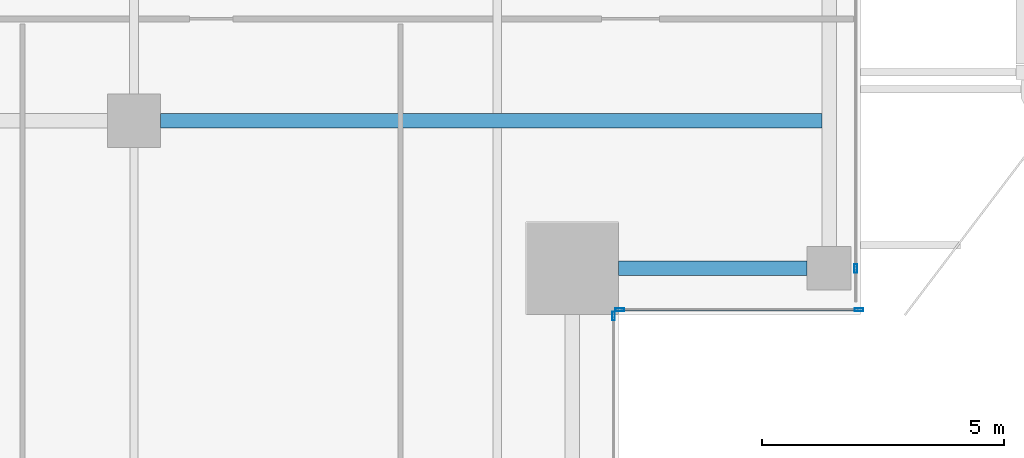
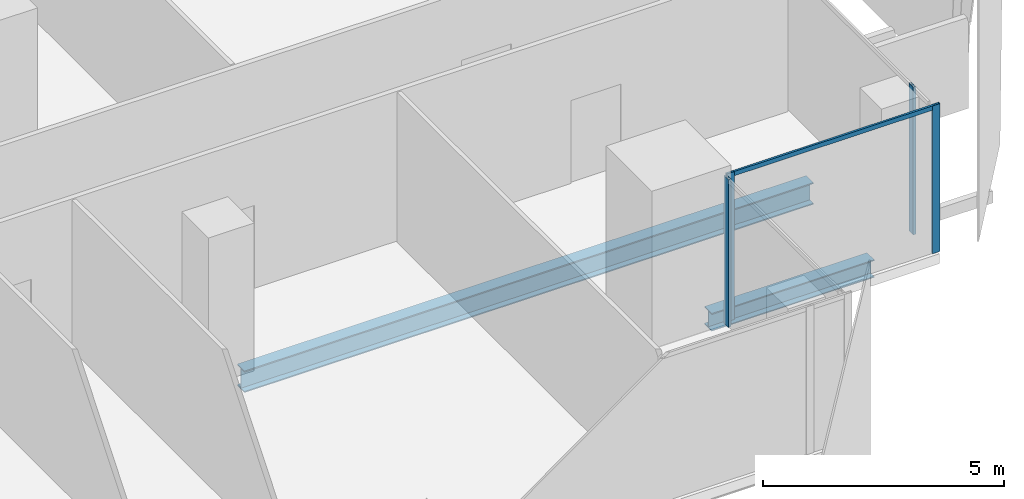
# One storey, part 9 of 35: 5 members, 2 beams, 3 elements without a shape of their own.
"""IFC4 building model written with IfcOpenShell, lengths in metres."""

from ifc_helpers import new_model, si_unit, direction, frame, origin, origin_2d, place, context, subcontext, project, spatial, hollow_rectangle, i_section, extrude, source, transform, mapped, material, material_profile, profile_set, type_object, element, aggregate, save


model = new_model("IFC4")

# Units and contexts
model_context = context("Model", 3, precision=1e-05, world=origin(), true_north=direction((0.0, 1.0)))
body_context = subcontext(model_context, "Body", "Model", "MODEL_VIEW")
ifc_project = project(units=[si_unit("LENGTHUNIT", "METRE"), si_unit("AREAUNIT", "SQUARE_METRE"), si_unit("VOLUMEUNIT", "CUBIC_METRE"), si_unit("PLANEANGLEUNIT", "RADIAN"), si_unit("MASSUNIT", "GRAM", prefix="KILO")], contexts=[model_context])

# Site, building, storey
site_placement = place(None, origin())
site = spatial("IfcSite", under=ifc_project, at=site_placement, CompositionType="ELEMENT")
building_placement = place(site_placement, origin())
building = spatial("IfcBuilding", under=site, at=building_placement, Name="Khomas Fold Tower", CompositionType="ELEMENT")
storey_placement = place(building_placement, frame((0.0, 0.0, 266.199951171875)))
storey = spatial("IfcBuildingStorey", under=building, at=storey_placement, Name="L60", CompositionType="ELEMENT", Elevation=266.199951171875)

# Beams
ifc_material_1 = material(Name="Steel S355", Category="steel")
ifc_material_profile_1 = material_profile(ifc_material_1, i_section(OverallWidth=0.300048828125, OverallDepth=0.449951171875, WebThickness=0.013916015625, FlangeThickness=0.02587890625, at=origin_2d()), Name="HE 450 B")
ifc_profile_set_1 = profile_set([ifc_material_profile_1], Name="Steel S355")
beam_type_1 = type_object("IfcBeamType", Name="HE 450 B spandrel SB4", PredefinedType="SPANDREL", material=ifc_profile_set_1)
shared_shape_1 = source(origin(), body_context, "Body", "SweptSolid", [
    extrude(i_section(OverallWidth=0.300048828125, OverallDepth=0.449951171875, WebThickness=0.013916015625, FlangeThickness=0.02587890625, at=origin_2d()), origin(), (0.0, 0.0, 1.0), 3.89990234375),
])
beam_1_placement = place(storey_placement, frame((44.5, 10.449951171875, -0.474853515625), z_axis=(1.0, 0.0, 0.0), x_axis=(0.0, 1.0, 0.0)))
element("IfcBeam", 1, at=beam_1_placement, inside=storey, type_object=beam_type_1, Name="SB4", PredefinedType="SPANDREL", context=body_context, shape_type="MappedRepresentation", body=[
    mapped(shared_shape_1, transform((0.0, 0.0, 0.0))),
])
ifc_material_2 = material(Name="Steel S355", Category="steel")
ifc_material_profile_2 = material_profile(ifc_material_2, i_section(OverallWidth=0.300048828125, OverallDepth=0.550048828125, WebThickness=0.014892578125, FlangeThickness=0.029052734375, at=origin_2d()), Name="HE 550 B")
ifc_profile_set_2 = profile_set([ifc_material_profile_2], Name="Steel S355")
beam_type_2 = type_object("IfcBeamType", Name="HE 550 B beam GB4", PredefinedType="BEAM", material=ifc_profile_set_2)
shared_shape_2 = source(origin(), body_context, "Body", "SweptSolid", [
    extrude(i_section(OverallWidth=0.300048828125, OverallDepth=0.550048828125, WebThickness=0.014892578125, FlangeThickness=0.029052734375, at=origin_2d()), origin(), (0.0, 0.0, 1.0), 13.64990234375),
])
beam_2_placement = place(storey_placement, frame((35.050048828125, 13.5, -0.52490234375), z_axis=(1.0, 0.0, 0.0), x_axis=(0.0, 1.0, 0.0)))
element("IfcBeam", 2, at=beam_2_placement, inside=storey, type_object=beam_type_2, Name="GB4", PredefinedType="BEAM", context=body_context, shape_type="MappedRepresentation", body=[
    mapped(shared_shape_2, transform((0.0, 0.0, 0.0))),
])

# Curtain wall, member
ifc_material_3 = material(Name="Aluminium framed double glazing", Category="aluminium")
curtain_wall_type = type_object("IfcCurtainWallType", Name="SK-Unitised clear-glass wall, office floors CW2", PredefinedType="NOTDEFINED", material=ifc_material_3)
curtain_wall_1_placement = place(storey_placement, origin())
curtain_wall_1 = element("IfcCurtainWall", 3, at=curtain_wall_1_placement, inside=storey, type_object=curtain_wall_type, Name="CW2 corner return L60 01", PredefinedType="NOTDEFINED")
ifc_material_4 = material(Name="Aluminium", Category="aluminium")
ifc_material_profile_3 = material_profile(ifc_material_4, hollow_rectangle(XDim=0.06005859375, YDim=0.179931640625, WallThickness=0.00390625, at=origin_2d()), Name="SK-Unitised clear-glass wall, office floors mullion CW2-M")
ifc_profile_set_3 = profile_set([ifc_material_profile_3], Name="Aluminium")
member_type_1 = type_object("IfcMemberType", Name="SK-Unitised clear-glass wall, office floors mullion CW2-M", PredefinedType="MULLION", material=ifc_profile_set_3)
shared_shape_3 = source(origin(), body_context, "Body", "SweptSolid", [
    extrude(hollow_rectangle(XDim=0.06005859375, YDim=0.179931640625, WallThickness=0.00390625, at=origin_2d()), origin(), (0.0, 0.0, 1.0), 3.75),
])
member_1_placement = place(storey_placement, frame((44.39990234375, 9.469970703125, 0.0), z_axis=(0.0, 0.0, 1.0), x_axis=(-1.0, 0.0, 0.0)))
member_1 = element("IfcMember", 4, at=member_1_placement, type_object=member_type_1, Name="CW2 mullion 2", PredefinedType="MULLION", context=body_context, shape_type="MappedRepresentation", body=[
    mapped(shared_shape_3, transform((0.0, 0.0, 0.0))),
])
aggregate(curtain_wall_1, [member_1])

# Curtain wall, members
curtain_wall_2_placement = place(storey_placement, origin())
curtain_wall_2 = element("IfcCurtainWall", 5, at=curtain_wall_2_placement, inside=storey, type_object=curtain_wall_type, Name="CW2 corner return L60 02", PredefinedType="NOTDEFINED")
member_2_placement = place(storey_placement, frame((44.530029296875, 9.60009765625, 0.0), z_axis=(0.0, 0.0, 1.0), x_axis=(0.0, 1.0, 0.0)))
member_2 = element("IfcMember", 6, at=member_2_placement, type_object=member_type_1, Name="CW2 mullion 1", PredefinedType="MULLION", context=body_context, shape_type="MappedRepresentation", body=[
    mapped(shared_shape_3, transform((0.0, 0.0, 0.0))),
])
member_3_placement = place(storey_placement, frame((49.469970703125, 9.60009765625, 0.0), z_axis=(0.0, 0.0, 1.0), x_axis=(0.0, 1.0, 0.0)))
member_3 = element("IfcMember", 7, at=member_3_placement, type_object=member_type_1, Name="CW2 mullion 2", PredefinedType="MULLION", context=body_context, shape_type="MappedRepresentation", body=[
    mapped(shared_shape_3, transform((0.0, 0.0, 0.0))),
])

# Curtain wall, member
curtain_wall_3_placement = place(storey_placement, origin())
curtain_wall_3 = element("IfcCurtainWall", 8, at=curtain_wall_3_placement, inside=storey, type_object=curtain_wall_type, Name="CW2 run L60 03-0", PredefinedType="NOTDEFINED")
member_4_placement = place(storey_placement, frame((49.39990234375, 10.449951171875, 0.0), z_axis=(0.0, 0.0, 1.0), x_axis=(-1.0, 0.0, 0.0)))
member_4 = element("IfcMember", 9, at=member_4_placement, type_object=member_type_1, Name="CW2 mullion 2", PredefinedType="MULLION", context=body_context, shape_type="MappedRepresentation", body=[
    mapped(shared_shape_3, transform((0.0, 0.0, 0.0))),
])
aggregate(curtain_wall_3, [member_4])

# Member
ifc_material_5 = material(Name="Aluminium", Category="aluminium")
ifc_material_profile_4 = material_profile(ifc_material_5, hollow_rectangle(XDim=0.050048828125, YDim=0.110107421875, WallThickness=0.00390625, at=origin_2d()), Name="SK-Unitised clear-glass wall, office floors transom CW2-T")
ifc_profile_set_4 = profile_set([ifc_material_profile_4], Name="Aluminium")
member_type_2 = type_object("IfcMemberType", Name="SK-Unitised clear-glass wall, office floors transom CW2-T", PredefinedType="USERDEFINED", material=ifc_profile_set_4)
shared_shape_4 = source(origin(), body_context, "Body", "SweptSolid", [
    extrude(hollow_rectangle(XDim=0.050048828125, YDim=0.110107421875, WallThickness=0.00390625, at=origin_2d()), origin(), (0.0, 0.0, 1.0), 4.8798828125),
])
member_5_placement = place(storey_placement, frame((44.56005859375, 9.60009765625, 3.695068359375), z_axis=(1.0, 0.0, 0.0), x_axis=(0.0, 1.0, 0.0)))
member_5 = element("IfcMember", 10, at=member_5_placement, type_object=member_type_2, Name="CW2 transom 1", ObjectType="TRANSOM", PredefinedType="USERDEFINED", context=body_context, shape_type="MappedRepresentation", body=[
    mapped(shared_shape_4, transform((0.0, 0.0, 0.0))),
])

aggregate(curtain_wall_2, [member_2, member_3, member_5])

save(model, "model.ifc")
